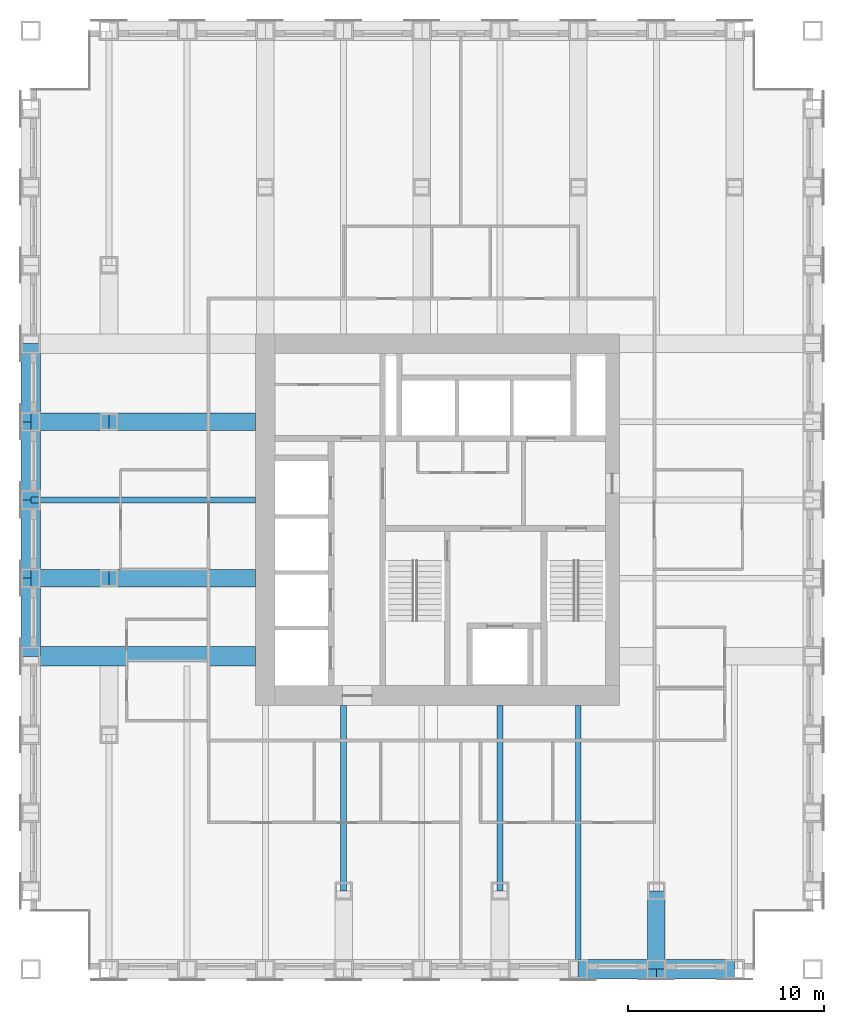
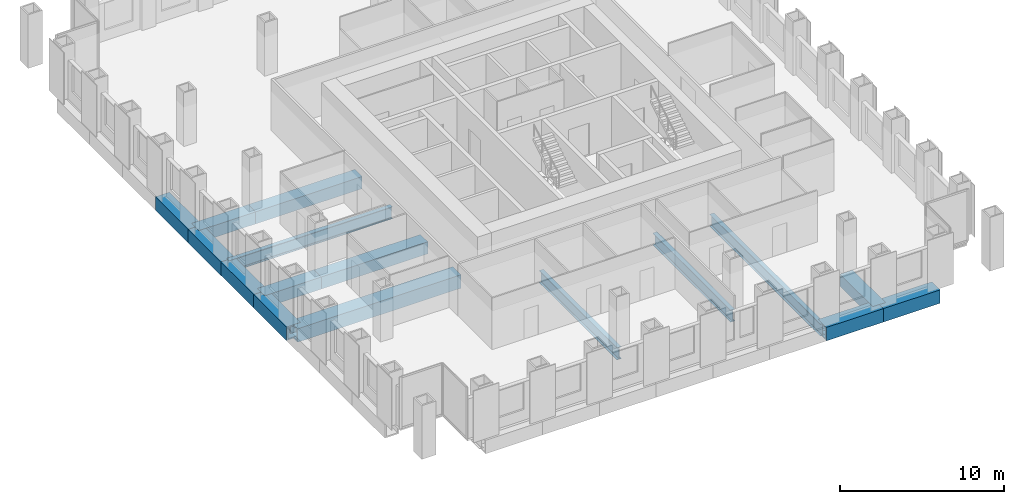
# One storey, part 3 of 12: 16 beams.
"""IFC4 building model written with IfcOpenShell, lengths in metres."""

from ifc_helpers import new_model, si_unit, direction, frame, origin, origin_2d, place, context, subcontext, project, spatial, hollow_rectangle, i_section, extrude, material, material_profile, profile_set, type_object, element, save


model = new_model("IFC4")

# Units and contexts
model_context = context("Model", 3, precision=1e-05, world=origin(), true_north=direction((0.0, 1.0)))
body_context = subcontext(model_context, "Body", "Model", "MODEL_VIEW")
ifc_project = project(units=[si_unit("LENGTHUNIT", "METRE"), si_unit("AREAUNIT", "SQUARE_METRE"), si_unit("VOLUMEUNIT", "CUBIC_METRE"), si_unit("PLANEANGLEUNIT", "RADIAN"), si_unit("MASSUNIT", "GRAM", prefix="KILO")], contexts=[model_context])

# Site, building, storey
site_placement = place(None, origin())
site = spatial("IfcSite", under=ifc_project, at=site_placement, CompositionType="ELEMENT")
building_placement = place(site_placement, origin())
building = spatial("IfcBuilding", under=site, at=building_placement, Name="Rimbunsela Tower", CompositionType="ELEMENT")
storey_placement = place(building_placement, frame((0.0, 0.0, 147.800048828125)))
storey = spatial("IfcBuildingStorey", under=building, at=storey_placement, Name="L35", CompositionType="ELEMENT", Elevation=147.800048828125)

# Beams
ifc_material_1 = material(Name="Steel BJ 55 (fy 410 MPa)", Category="steel")
ifc_material_profile_1 = material_profile(ifc_material_1, hollow_rectangle(XDim=1.0, YDim=1.0, WallThickness=0.10009765625, at=origin_2d()), Name="BOX 1000x1000x100")
ifc_profile_set_1 = profile_set([ifc_material_profile_1], Name="Steel BJ 55 (fy 410 MPa)")
beam_type_1 = type_object("IfcBeamType", Name="Beam BOX 1000x1000x100", PredefinedType="BEAM", material=ifc_profile_set_1)
beam_1_placement = place(storey_placement, frame((6.0, 20.0, -0.650146484375), z_axis=(0.0, 1.0, 0.0), x_axis=(-1.0, 0.0, 0.0)))
element("IfcBeam", 1, at=beam_1_placement, inside=storey, type_object=beam_type_1, Name="Beam B3 L35", PredefinedType="BEAM", context=body_context, shape_type="SweptSolid", body=[
    extrude(hollow_rectangle(XDim=1.0, YDim=1.0, WallThickness=0.10009765625, at=origin_2d()), origin(), (0.0, 0.0, 1.0), 4.0),
])
beam_2_placement = place(storey_placement, frame((6.0, 20.0, -0.650146484375), z_axis=(1.0, 0.0, 0.0), x_axis=(0.0, 1.0, 0.0)))
element("IfcBeam", 2, at=beam_2_placement, inside=storey, type_object=beam_type_1, Name="Beam B3 L35", PredefinedType="BEAM", context=body_context, shape_type="SweptSolid", body=[
    extrude(hollow_rectangle(XDim=1.0, YDim=1.0, WallThickness=0.10009765625, at=origin_2d()), origin(), (0.0, 0.0, 1.0), 11.5),
])
for number, where, z_axis, x_axis, name in (
    (3, (6.0, 24.0, -0.650146484375), (0.0, 1.0, 0.0), (-1.0, 0.0, 0.0), "Beam B3 L35"),
    (4, (6.0, 28.0, -0.650146484375), (0.0, 1.0, 0.0), (-1.0, 0.0, 0.0), "Beam B3 L35"),
    (5, (6.0, 32.0, -0.650146484375), (0.0, 1.0, 0.0), (-1.0, 0.0, 0.0), "Beam B3 L35"),
    (6, (34.0, 4.0, -0.650146484375), (1.0, 0.0, 0.0), (0.0, 1.0, 0.0), "Beam B3 L35"),
    (7, (38.0, 4.0, -0.650146484375), (1.0, 0.0, 0.0), (0.0, 1.0, 0.0), "Beam B3 L35"),
):
    element("IfcBeam", number, at=place(storey_placement, frame(where, z_axis=z_axis, x_axis=x_axis)), inside=storey, type_object=beam_type_1, Name=name, PredefinedType="BEAM", context=body_context, shape_type="SweptSolid", body=[
        extrude(hollow_rectangle(XDim=1.0, YDim=1.0, WallThickness=0.10009765625, at=origin_2d()), origin(), (0.0, 0.0, 1.0), 4.0),
    ])
ifc_material_2 = material(Name="Steel BJ 55 (fy 410 MPa)", Category="steel")
ifc_material_profile_2 = material_profile(ifc_material_2, hollow_rectangle(XDim=0.89990234375, YDim=0.89990234375, WallThickness=0.06005859375, at=origin_2d()), Name="BOX 900x900x60")
ifc_profile_set_2 = profile_set([ifc_material_profile_2], Name="Steel BJ 55 (fy 410 MPa)")
beam_type_2 = type_object("IfcBeamType", Name="Beam BOX 900x900x60", PredefinedType="BEAM", material=ifc_profile_set_2)
for number, where, z_axis, x_axis, name in (
    (8, (6.0, 24.0, -0.60009765625), (1.0, 0.0, 0.0), (0.0, 1.0, 0.0), "Beam B1 L35"),
    (9, (6.0, 32.0, -0.60009765625), (1.0, 0.0, 0.0), (0.0, 1.0, 0.0), "Beam B1 L35"),
):
    element("IfcBeam", number, at=place(storey_placement, frame(where, z_axis=z_axis, x_axis=x_axis)), inside=storey, type_object=beam_type_2, Name=name, PredefinedType="BEAM", context=body_context, shape_type="SweptSolid", body=[
        extrude(hollow_rectangle(XDim=0.89990234375, YDim=0.89990234375, WallThickness=0.06005859375, at=origin_2d()), origin(), (0.0, 0.0, 1.0), 4.0),
    ])
for number, where, z_axis, x_axis, name in (
    (10, (10.0, 24.0, -0.60009765625), (1.0, 0.0, 0.0), (0.0, 1.0, 0.0), "Beam B1 L35"),
    (11, (10.0, 32.0, -0.60009765625), (1.0, 0.0, 0.0), (0.0, 1.0, 0.0), "Beam B1 L35"),
):
    element("IfcBeam", number, at=place(storey_placement, frame(where, z_axis=z_axis, x_axis=x_axis)), inside=storey, type_object=beam_type_2, Name=name, PredefinedType="BEAM", context=body_context, shape_type="SweptSolid", body=[
        extrude(hollow_rectangle(XDim=0.89990234375, YDim=0.89990234375, WallThickness=0.06005859375, at=origin_2d()), origin(), (0.0, 0.0, 1.0), 7.5),
    ])
beam_3_placement = place(storey_placement, frame((38.0, 4.0, -0.60009765625), z_axis=(0.0, 1.0, 0.0), x_axis=(-1.0, 0.0, 0.0)))
element("IfcBeam", 12, at=beam_3_placement, inside=storey, type_object=beam_type_2, Name="Beam B1 L35", PredefinedType="BEAM", context=body_context, shape_type="SweptSolid", body=[
    extrude(hollow_rectangle(XDim=0.89990234375, YDim=0.89990234375, WallThickness=0.06005859375, at=origin_2d()), origin(), (0.0, 0.0, 1.0), 4.0),
])
ifc_material_3 = material(Name="Steel BJ 55 (fy 410 MPa)", Category="steel")
ifc_material_profile_3 = material_profile(ifc_material_3, i_section(OverallWidth=0.300048828125, OverallDepth=0.89990234375, WebThickness=0.01611328125, FlangeThickness=0.028076171875, FilletRadius=0.028076171875, at=origin_2d()), Name="H 900x300x16x28")
ifc_profile_set_3 = profile_set([ifc_material_profile_3], Name="Steel BJ 55 (fy 410 MPa)")
beam_type_3 = type_object("IfcBeamType", Name="Beam H 900x300x16x28", PredefinedType="BEAM", material=ifc_profile_set_3)
beam_4_placement = place(storey_placement, frame((6.0, 28.0, -0.60009765625), z_axis=(1.0, 0.0, 0.0), x_axis=(0.0, 1.0, 0.0)))
element("IfcBeam", 13, at=beam_4_placement, inside=storey, type_object=beam_type_3, Name="Beam B2 L35", PredefinedType="BEAM", context=body_context, shape_type="SweptSolid", body=[
    extrude(i_section(OverallWidth=0.300048828125, OverallDepth=0.89990234375, WebThickness=0.01611328125, FlangeThickness=0.028076171875, FilletRadius=0.028076171875, at=origin_2d()), origin(), (0.0, 0.0, 1.0), 11.5),
])
for number, where, z_axis, x_axis, name in (
    (14, (22.0, 8.0, -0.60009765625), (0.0, 1.0, 0.0), (-1.0, 0.0, 0.0), "Beam B2 L35"),
    (15, (30.0, 8.0, -0.60009765625), (0.0, 1.0, 0.0), (-1.0, 0.0, 0.0), "Beam B2 L35"),
):
    element("IfcBeam", number, at=place(storey_placement, frame(where, z_axis=z_axis, x_axis=x_axis)), inside=storey, type_object=beam_type_3, Name=name, PredefinedType="BEAM", context=body_context, shape_type="SweptSolid", body=[
        extrude(i_section(OverallWidth=0.300048828125, OverallDepth=0.89990234375, WebThickness=0.01611328125, FlangeThickness=0.028076171875, FilletRadius=0.028076171875, at=origin_2d()), origin(), (0.0, 0.0, 1.0), 9.5),
    ])
beam_5_placement = place(storey_placement, frame((34.0, 4.0, -0.60009765625), z_axis=(0.0, 1.0, 0.0), x_axis=(-1.0, 0.0, 0.0)))
element("IfcBeam", 16, at=beam_5_placement, inside=storey, type_object=beam_type_3, Name="Beam B2 L35", PredefinedType="BEAM", context=body_context, shape_type="SweptSolid", body=[
    extrude(i_section(OverallWidth=0.300048828125, OverallDepth=0.89990234375, WebThickness=0.01611328125, FlangeThickness=0.028076171875, FilletRadius=0.028076171875, at=origin_2d()), origin(), (0.0, 0.0, 1.0), 13.5),
])

save(model, "model.ifc")
